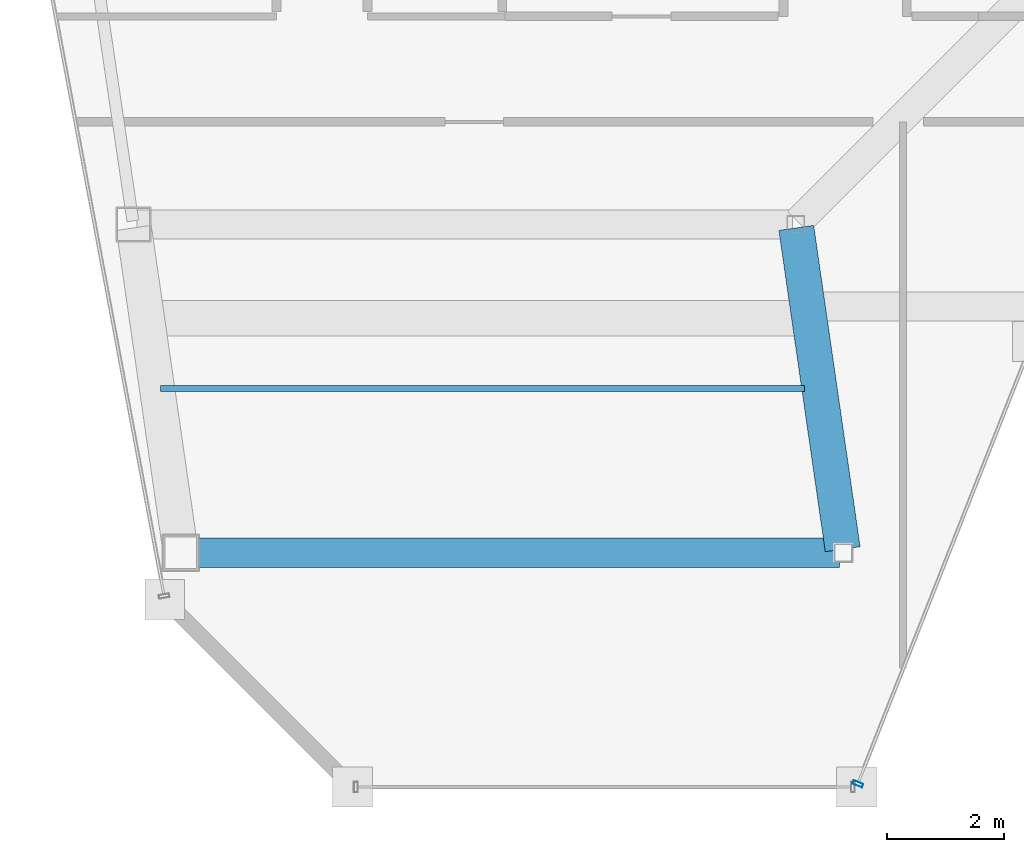
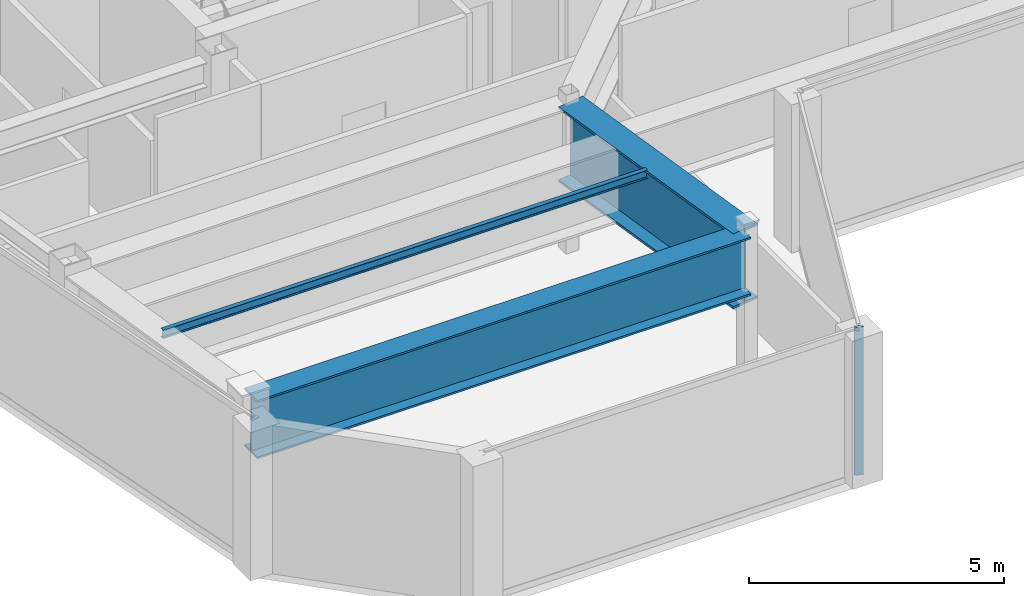
# One storey, part 4 of 23: 3 beams, 1 member, 1 element without a shape of its own.
"""IFC4 building model written with IfcOpenShell, lengths in metres."""

from ifc_helpers import new_model, si_unit, direction, frame, origin, origin_2d, place, context, subcontext, project, spatial, hollow_rectangle, i_section, extrude, material, material_profile, profile_set, type_object, element, aggregate, save


model = new_model("IFC4")

# Units and contexts
model_context = context("Model", 3, precision=1e-05, world=origin(), true_north=direction((0.0, 1.0)))
body_context = subcontext(model_context, "Body", "Model", "MODEL_VIEW")
ifc_project = project(units=[si_unit("LENGTHUNIT", "METRE"), si_unit("AREAUNIT", "SQUARE_METRE"), si_unit("VOLUMEUNIT", "CUBIC_METRE"), si_unit("PLANEANGLEUNIT", "RADIAN"), si_unit("MASSUNIT", "GRAM", prefix="KILO")], contexts=[model_context])

# Site, building, storey
site_placement = place(None, origin())
site = spatial("IfcSite", under=ifc_project, at=site_placement, CompositionType="ELEMENT")
building_placement = place(site_placement, origin())
building = spatial("IfcBuilding", under=site, at=building_placement, Name="Saevonmaru Cultural Tower", CompositionType="ELEMENT")
storey_placement = place(building_placement, frame((0.0, 0.0, 291.39990234375)))
storey = spatial("IfcBuildingStorey", under=building, at=storey_placement, Name="L69", CompositionType="ELEMENT", Elevation=291.39990234375)

# Beams
ifc_material_1 = material(Name="Steel SM355", Category="steel")
ifc_material_profile_1 = material_profile(ifc_material_1, i_section(OverallWidth=0.10009765625, OverallDepth=0.199951171875, WebThickness=0.005615234375, FlangeThickness=0.008056640625, FilletRadius=0.008056640625, at=origin_2d()), Name="H-200x100x5.5x8")
ifc_profile_set_1 = profile_set([ifc_material_profile_1], Name="Steel SM355")
beam_type_1 = type_object("IfcBeamType", Name="BM-J-H200", PredefinedType="JOIST", material=ifc_profile_set_1)
beam_1_placement = place(storey_placement, frame((7.972412109375, 34.800048828125, 3.4501953125), z_axis=(1.0, 0.0, 0.0), x_axis=(0.0, 1.0, 0.0)))
element("IfcBeam", 1, at=beam_1_placement, inside=storey, type_object=beam_type_1, Name="L69 West Wing Floor Joist 1", PredefinedType="JOIST", context=body_context, shape_type="SweptSolid", body=[
    extrude(i_section(OverallWidth=0.10009765625, OverallDepth=0.199951171875, WebThickness=0.005615234375, FlangeThickness=0.008056640625, FilletRadius=0.008056640625, at=origin_2d()), origin(), (0.0, 0.0, 1.0), 10.982177734375),
])
ifc_material_2 = material(Name="Steel HSA600 (600 MPa)", Category="steel")
ifc_material_profile_2 = material_profile(ifc_material_2, i_section(OverallWidth=0.5, OverallDepth=1.39990234375, WebThickness=0.02392578125, FlangeThickness=0.044921875, at=origin_2d()), Name="PG-1400x500x24x45")
ifc_profile_set_2 = profile_set([ifc_material_profile_2], Name="Steel HSA600 (600 MPa)")
beam_type_2 = type_object("IfcBeamType", Name="BM-TG-PG1400", PredefinedType="BEAM", material=ifc_profile_set_2)
beam_2_placement = place(storey_placement, frame((8.376953125, 32.0, 2.85009765625), z_axis=(1.0, 0.0, 0.0), x_axis=(0.0, 1.0, 0.0)))
element("IfcBeam", 2, at=beam_2_placement, inside=storey, type_object=beam_type_2, Name="L69 West Wing Transverse Girder 1", PredefinedType="BEAM", context=body_context, shape_type="SweptSolid", body=[
    extrude(i_section(OverallWidth=0.5, OverallDepth=1.39990234375, WebThickness=0.02392578125, FlangeThickness=0.044921875, at=origin_2d()), origin(), (0.0, 0.0, 1.0), 11.179931640625),
])
ifc_material_profile_3 = material_profile(ifc_material_2, i_section(OverallWidth=0.60009765625, OverallDepth=1.800048828125, WebThickness=0.028076171875, FlangeThickness=0.054931640625, at=origin_2d()), Name="PG-1800x600x28x55")
ifc_profile_set_3 = profile_set([ifc_material_profile_3], Name="Steel HSA600 (600 MPa)")
beam_type_3 = type_object("IfcBeamType", Name="BM-TG-PG1800", PredefinedType="BEAM", material=ifc_profile_set_3)
beam_3_placement = place(storey_placement, frame((19.6083984375, 32.059326171875, 2.650146484375), z_axis=(-0.142964121327, 0.989727871697, 0.0), x_axis=(-0.989727871697, -0.142964121327, 0.0)))
element("IfcBeam", 3, at=beam_3_placement, inside=storey, type_object=beam_type_3, Name="L69 West Atrium Girder 1", PredefinedType="BEAM", context=body_context, shape_type="SweptSolid", body=[
    extrude(i_section(OverallWidth=0.60009765625, OverallDepth=1.800048828125, WebThickness=0.028076171875, FlangeThickness=0.054931640625, at=origin_2d()), origin(), (0.0, 0.0, 1.0), 5.5380859375),
])

# Curtain wall, member
ifc_material_3 = material(Name="Satin Bronze Anodised Aluminium", Category="aluminium")
curtain_wall_type = type_object("IfcCurtainWallType", Name="CW-TYP-B", PredefinedType="NOTDEFINED", material=ifc_material_3)
curtain_wall_placement = place(storey_placement, origin())
curtain_wall = element("IfcCurtainWall", 4, at=curtain_wall_placement, inside=storey, type_object=curtain_wall_type, Name="L69 Unitised Curtain Wall E3", PredefinedType="NOTDEFINED")
ifc_material_profile_4 = material_profile(ifc_material_3, hollow_rectangle(XDim=0.06494140625, YDim=0.179931640625, WallThickness=0.00390625, at=origin_2d()), Name="ALU-MULL-180x65x4")
ifc_profile_set_4 = profile_set([ifc_material_profile_4], Name="Satin Bronze Anodised Aluminium")
member_type = type_object("IfcMemberType", Name="ML-CW-180x65", PredefinedType="MULLION", material=ifc_profile_set_4)
member_placement = place(storey_placement, frame((19.866455078125, 28.055908203125, 0.0), z_axis=(0.0, 0.0, 1.0), x_axis=(0.367172185578, 0.930152990716, 0.0)))
member = element("IfcMember", 5, at=member_placement, type_object=member_type, Name="CW-TW-L69-E3 mullion 1", PredefinedType="MULLION", context=body_context, shape_type="SweptSolid", body=[
    extrude(hollow_rectangle(XDim=0.06494140625, YDim=0.179931640625, WallThickness=0.00390625, at=origin_2d()), origin(), (0.0, 0.0, 1.0), 3.550048828125),
])
aggregate(curtain_wall, [member])

save(model, "model.ifc")
